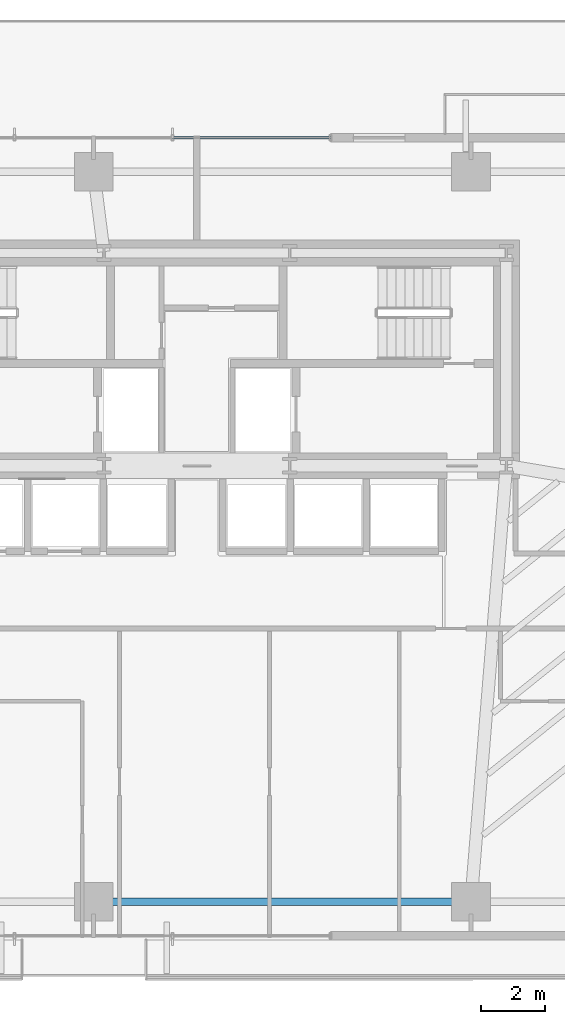
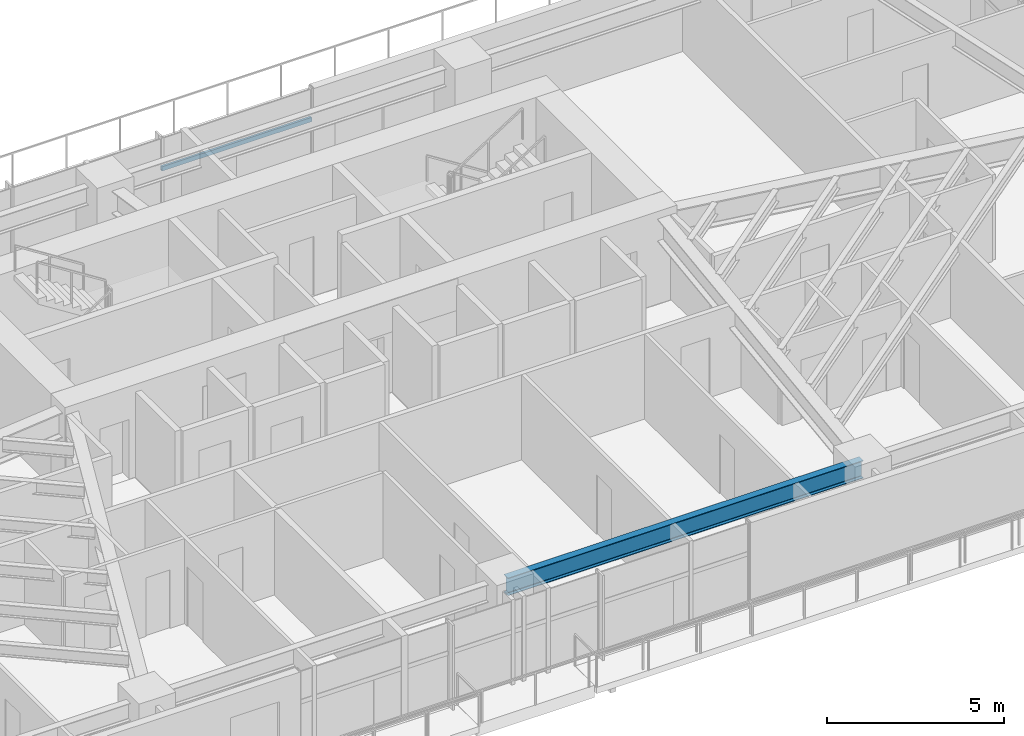
# One storey, part 11 of 26: 1 beam, 1 member, 1 element without a shape of its own.
"""IFC4 building model written with IfcOpenShell, lengths in metres."""

from ifc_helpers import new_model, si_unit, direction, frame, origin, origin_2d, place, context, subcontext, project, spatial, hollow_rectangle, i_section, extrude, source, transform, mapped, material, material_profile, profile_set, type_object, type_shapes, element, aggregate, save


model = new_model("IFC4")

# Units and contexts
model_context = context("Model", 3, precision=1e-05, world=origin(), true_north=direction((0.0, 1.0)))
body_context = subcontext(model_context, "Body", "Model", "MODEL_VIEW")
ifc_project = project(units=[si_unit("LENGTHUNIT", "METRE"), si_unit("AREAUNIT", "SQUARE_METRE"), si_unit("VOLUMEUNIT", "CUBIC_METRE"), si_unit("PLANEANGLEUNIT", "RADIAN"), si_unit("MASSUNIT", "GRAM", prefix="KILO")], contexts=[model_context])

# Site, building, storey
site_placement = place(None, origin())
site = spatial("IfcSite", under=ifc_project, at=site_placement, CompositionType="ELEMENT")
building_placement = place(site_placement, origin())
building = spatial("IfcBuilding", under=site, at=building_placement, Name="Astriad Promenade Condominiums", CompositionType="ELEMENT")
storey_placement = place(building_placement, frame((0.0, 0.0, 23.0)))
storey = spatial("IfcBuildingStorey", under=building, at=storey_placement, Name="L05", CompositionType="ELEMENT", Elevation=23.0)

# Beam
ifc_material_1 = material(Name="Steel ASTM A992 Grade 50", Category="steel")
ifc_material_profile_1 = material_profile(ifc_material_1, i_section(OverallWidth=0.22900390625, OverallDepth=0.612060546875, WebThickness=0.011962890625, FlangeThickness=0.01953125, FilletRadius=0.017822265625, at=origin_2d()), Name="W24X84")
ifc_profile_set_1 = profile_set([ifc_material_profile_1], Name="Steel ASTM A992 Grade 50")
beam_type = type_object("IfcBeamType", Name="STEEL SPANDREL BEAM W24X84", PredefinedType="SPANDREL", material=ifc_profile_set_1)
shared_shape_1 = source(origin(), body_context, "Body", "SweptSolid", [
    extrude(i_section(OverallWidth=0.22900390625, OverallDepth=0.612060546875, WebThickness=0.011962890625, FlangeThickness=0.01953125, FilletRadius=0.017822265625, at=origin_2d()), origin(), (0.0, 0.0, 1.0), 11.619873046875),
])
type_shapes(beam_type, [shared_shape_1])
beam_placement = place(storey_placement, frame((32.840087890625, 3.8798828125, 2.634033203125), z_axis=(1.0, 0.0, 0.0), x_axis=(0.0, 1.0, 0.0)))
element("IfcBeam", 1, at=beam_placement, inside=storey, type_object=beam_type, Name="Perimeter Spandrel Beam SP-S3-L05", PredefinedType="SPANDREL", context=body_context, shape_type="MappedRepresentation", body=[
    mapped(shared_shape_1, transform((0.0, 0.0, 0.0), scale=1.0)),
])

# Curtain wall, member
ifc_material_2 = material(Name="Anodised aluminium Black Dark Glass Unitised", Category="aluminium")
curtain_wall_type = type_object("IfcCurtainWallType", Name="CW-B1-DARK", PredefinedType="USERDEFINED", material=ifc_material_2)
curtain_wall_placement = place(storey_placement, origin())
curtain_wall = element("IfcCurtainWall", 2, at=curtain_wall_placement, inside=storey, type_object=curtain_wall_type, Name="CW-L05-N", ObjectType="UNITISED_CURTAIN_WALL", PredefinedType="USERDEFINED")
ifc_material_3 = material(Name="Anodised aluminium 6063-T6 Black", Category="aluminium")
ifc_material_profile_2 = material_profile(ifc_material_3, hollow_rectangle(XDim=0.074951171875, YDim=0.14990234375, WallThickness=0.004150390625, at=origin_2d()), Name="ALU-TRN-75X150")
ifc_profile_set_2 = profile_set([ifc_material_profile_2], Name="Anodised aluminium 6063-T6 Black")
member_type = type_object("IfcMemberType", Name="TRN-ALU-TRN-75X150", PredefinedType="USERDEFINED", material=ifc_profile_set_2)
shared_shape_2 = source(origin(), body_context, "Body", "SweptSolid", [
    extrude(hollow_rectangle(XDim=0.074951171875, YDim=0.14990234375, WallThickness=0.004150390625, at=origin_2d()), origin(), (0.0, 0.0, 1.0), 4.89990234375),
])
type_shapes(member_type, [shared_shape_2])
member_placement = place(storey_placement, frame((35.25, 27.570068359375, 1.82275390625), z_axis=(1.0, 0.0, 0.0), x_axis=(0.0, 1.0, 0.0)))
member = element("IfcMember", 3, at=member_placement, type_object=member_type, Name="CW-L05-N-TRN-02-0", ObjectType="TRANSOM", PredefinedType="USERDEFINED", context=body_context, shape_type="MappedRepresentation", body=[
    mapped(shared_shape_2, transform((0.0, 0.0, 0.0), scale=1.0)),
])
aggregate(curtain_wall, [member])

save(model, "model.ifc")
